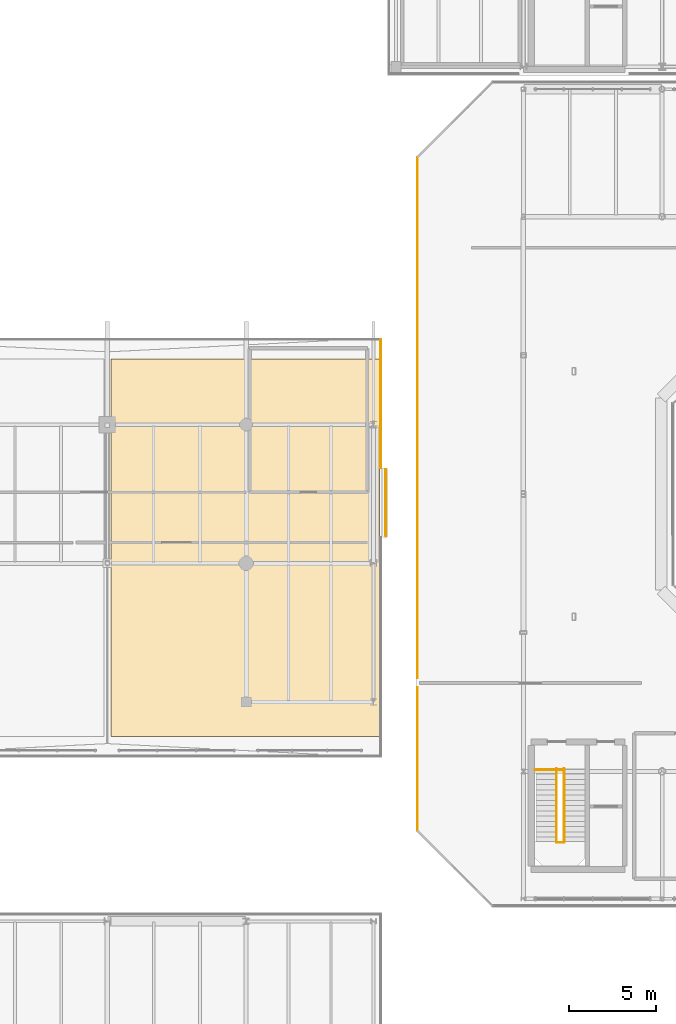
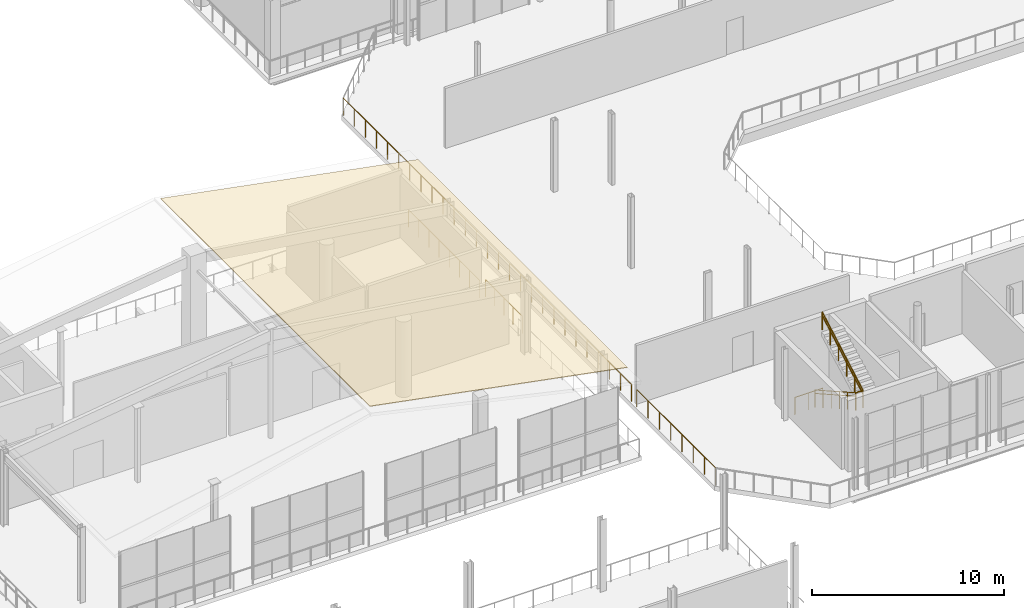
# One storey, part 61 of 70: 10 railings, 1 covering.
"""IFC4 building model written with IfcOpenShell, lengths in metres."""

from ifc_helpers import new_model, si_unit, direction, frame, origin, origin_2d, place, context, subcontext, project, spatial, polyline, circle, outline, extrude, material, layer, layer_set, type_object, element, save


model = new_model("IFC4")

# Units and contexts
model_context = context("Model", 3, precision=1e-05, world=origin(), true_north=direction((0.0, 1.0)))
body_context = subcontext(model_context, "Body", "Model", "MODEL_VIEW")
ifc_project = project(units=[si_unit("LENGTHUNIT", "METRE"), si_unit("AREAUNIT", "SQUARE_METRE"), si_unit("VOLUMEUNIT", "CUBIC_METRE"), si_unit("PLANEANGLEUNIT", "RADIAN"), si_unit("MASSUNIT", "GRAM", prefix="KILO")], contexts=[model_context])

# Site, building, storey
site_placement = place(None, origin())
site = spatial("IfcSite", under=ifc_project, at=site_placement, CompositionType="ELEMENT")
building_placement = place(site_placement, origin())
building = spatial("IfcBuilding", under=site, at=building_placement, Name="Brisemont Oceanarium", CompositionType="ELEMENT")
storey_placement = place(building_placement, frame((0.0, 0.0, 10.199951171875)))
storey = spatial("IfcBuildingStorey", under=building, at=storey_placement, Name="L02", CompositionType="ELEMENT", Elevation=10.199951171875)

# Covering
ifc_material_1 = material(Name="Patinated Copper-Zinc Standing-Seam Sheet")
ifc_layer = layer(ifc_material_1, 0.034912109375)
ifc_layer_set = layer_set([ifc_layer], Name="Patinated Copper-Zinc Standing-Seam Sheet")
covering_type = type_object("IfcCoveringType", Name="COV-ROOF-CUZN", PredefinedType="ROOFING", material=ifc_layer_set)
covering_placement = place(storey_placement, frame((40.199951171875, 42.0, 7.949951171875), z_axis=(0.186963501428, 0.0, 0.982366860767), x_axis=(0.982366860767, 0.0, -0.186963501428)))
element("IfcCovering", 1, at=covering_placement, inside=storey, type_object=covering_type, Name="Patinated copper-zinc standing-seam roofing RFG-R4", PredefinedType="ROOFING", context=body_context, shape_type="SweptSolid", body=[
    extrude(outline(polyline([(0.0, 0.0), (15.778219542028394, 0.0), (15.778219542028394, 21.800048828125), (0.0, 21.800048828125), (0.0, 0.0)])), origin(), (0.0, 0.0, -1.0), 0.034912109375),
])

# Railings
ifc_material_2 = material(Name="Duplex Stainless Steel EN 1.4462", Category="steel")
railing_type_1 = type_object("IfcRailingType", Name="RLG-GUARD-1120", PredefinedType="GUARDRAIL", material=ifc_material_2)
railing_1_placement = place(storey_placement, frame((64.669921875, 40.090087890625, 0.0)))
element("IfcRailing", 2, at=railing_1_placement, inside=storey, type_object=railing_type_1, Name="ST-01 L02 landing edge guard", PredefinedType="GUARDRAIL", context=body_context, shape_type="SweptSolid", body=[
    extrude(circle(Radius=0.02392578125, at=origin_2d()), frame((0.0, 0.0, 1.09619140625), z_axis=(1.0, 0.0, 0.0), x_axis=(0.0, 1.0, 0.0)), (0.0, 0.0, 1.0), 1.68017578125),
    extrude(circle(Radius=0.02099609375, at=origin_2d()), origin(), (0.0, 0.0, 1.0), 1.072021484375),
    extrude(circle(Radius=0.02099609375, at=origin_2d()), frame((0.840087890625, 0.0, 0.0)), (0.0, 0.0, 1.0), 1.072021484375),
    extrude(circle(Radius=0.02099609375, at=origin_2d()), frame((1.68017578125, 0.0, 0.0)), (0.0, 0.0, 1.0), 1.072021484375),
])
railing_2_placement = place(storey_placement, frame((65.909912109375, 40.14990234375, 0.0)))
element("IfcRailing", 3, at=railing_2_placement, inside=storey, type_object=railing_type_1, Name="ST-01 L02 F1 well guard", PredefinedType="GUARDRAIL", context=body_context, shape_type="SweptSolid", body=[
    extrude(circle(Radius=0.02392578125, at=origin_2d()), frame((0.0, 0.0, 1.09619140625), z_axis=(0.0, -0.870740716755, 0.491742416499), x_axis=(1.0, 0.0, 0.0)), (0.0, 0.0, 1.0), 4.880859375),
    extrude(circle(Radius=0.02099609375, at=origin_2d()), origin(), (0.0, 0.0, 1.0), 1.072021484375),
    extrude(circle(Radius=0.02099609375, at=origin_2d()), frame((0.0, -0.85009765625, 0.47998046875)), (0.0, 0.0, 1.0), 1.072021484375),
    extrude(circle(Radius=0.02099609375, at=origin_2d()), frame((0.0, -1.699951171875, 0.9599609375)), (0.0, 0.0, 1.0), 1.072021484375),
    extrude(circle(Radius=0.02099609375, at=origin_2d()), frame((0.0, -2.550048828125, 1.440185546875)), (0.0, 0.0, 1.0), 1.072021484375),
    extrude(circle(Radius=0.02099609375, at=origin_2d()), frame((0.0, -3.39990234375, 1.920166015625)), (0.0, 0.0, 1.0), 1.072021484375),
    extrude(circle(Radius=0.02099609375, at=origin_2d()), frame((0.0, -4.25, 2.400146484375)), (0.0, 0.0, 1.0), 1.072021484375),
])
railing_3_placement = place(storey_placement, frame((66.35009765625, 35.89990234375, 2.400146484375)))
element("IfcRailing", 4, at=railing_3_placement, inside=storey, type_object=railing_type_1, Name="ST-01 L02 F2 well guard", PredefinedType="GUARDRAIL", context=body_context, shape_type="SweptSolid", body=[
    extrude(circle(Radius=0.02392578125, at=origin_2d()), frame((0.0, 0.0, 1.09619140625), z_axis=(0.0, 0.870762133844, 0.491704490791), x_axis=(-1.0, 0.0, 0.0)), (0.0, 0.0, 1.0), 4.880859375),
    extrude(circle(Radius=0.02099609375, at=origin_2d()), origin(), (0.0, 0.0, 1.0), 1.072021484375),
    extrude(circle(Radius=0.02099609375, at=origin_2d()), frame((0.0, 0.85009765625, 0.47998046875)), (0.0, 0.0, 1.0), 1.072021484375),
    extrude(circle(Radius=0.02099609375, at=origin_2d()), frame((0.0, 1.699951171875, 0.9599609375)), (0.0, 0.0, 1.0), 1.072021484375),
    extrude(circle(Radius=0.02099609375, at=origin_2d()), frame((0.0, 2.550048828125, 1.43994140625)), (0.0, 0.0, 1.0), 1.072021484375),
    extrude(circle(Radius=0.02099609375, at=origin_2d()), frame((0.0, 3.39990234375, 1.919921875)), (0.0, 0.0, 1.0), 1.072021484375),
    extrude(circle(Radius=0.02099609375, at=origin_2d()), frame((0.0, 4.25, 2.39990234375)), (0.0, 0.0, 1.0), 1.072021484375),
])
railing_4_placement = place(storey_placement, frame((65.909912109375, 35.89990234375, 2.400146484375)))
element("IfcRailing", 5, at=railing_4_placement, inside=storey, type_object=railing_type_1, Name="ST-01 L02 landing slot guard", PredefinedType="GUARDRAIL", context=body_context, shape_type="SweptSolid", body=[
    extrude(circle(Radius=0.02392578125, at=origin_2d()), frame((0.0, 0.0, 1.09619140625), z_axis=(1.0, 0.0, 0.0), x_axis=(0.0, 1.0, 0.0)), (0.0, 0.0, 1.0), 0.440185546875),
    extrude(circle(Radius=0.02099609375, at=origin_2d()), origin(), (0.0, 0.0, 1.0), 1.072021484375),
    extrude(circle(Radius=0.02099609375, at=origin_2d()), frame((0.440185546875, 0.0, 0.0)), (0.0, 0.0, 1.0), 1.072021484375),
])
railing_5_placement = place(storey_placement, frame((57.889892578125, 36.58740234375, 0.0)))
element("IfcRailing", 6, at=railing_5_placement, inside=storey, type_object=railing_type_1, Name="L02 slab perimeter safety guard 135", PredefinedType="GUARDRAIL", context=body_context, shape_type="SweptSolid", body=[
    extrude(circle(Radius=0.02392578125, at=origin_2d()), frame((0.0, 0.0, 1.09619140625), z_axis=(0.0, 1.0, 0.0), x_axis=(-1.0, 0.0, 0.0)), (0.0, 0.0, 1.0), 8.233642578125),
    extrude(circle(Radius=0.02099609375, at=origin_2d()), origin(), (0.0, 0.0, 1.0), 1.072021484375),
    extrude(circle(Radius=0.02099609375, at=origin_2d()), frame((0.0, 1.17626953125, 0.0)), (0.0, 0.0, 1.0), 1.072021484375),
    extrude(circle(Radius=0.02099609375, at=origin_2d()), frame((0.0, 2.3525390625, 0.0)), (0.0, 0.0, 1.0), 1.072021484375),
    extrude(circle(Radius=0.02099609375, at=origin_2d()), frame((0.0, 3.52880859375, 0.0)), (0.0, 0.0, 1.0), 1.072021484375),
    extrude(circle(Radius=0.02099609375, at=origin_2d()), frame((0.0, 4.704833984375, 0.0)), (0.0, 0.0, 1.0), 1.072021484375),
    extrude(circle(Radius=0.02099609375, at=origin_2d()), frame((0.0, 5.881103515625, 0.0)), (0.0, 0.0, 1.0), 1.072021484375),
    extrude(circle(Radius=0.02099609375, at=origin_2d()), frame((0.0, 7.057373046875, 0.0)), (0.0, 0.0, 1.0), 1.072021484375),
    extrude(circle(Radius=0.02099609375, at=origin_2d()), frame((0.0, 8.233642578125, 0.0)), (0.0, 0.0, 1.0), 1.072021484375),
])
railing_6_placement = place(storey_placement, frame((57.889892578125, 45.37890625, 0.0)))
element("IfcRailing", 7, at=railing_6_placement, inside=storey, type_object=railing_type_1, Name="L02 slab perimeter safety guard 136", PredefinedType="GUARDRAIL", context=body_context, shape_type="SweptSolid", body=[
    extrude(circle(Radius=0.02392578125, at=origin_2d()), frame((0.0, 0.0, 1.09619140625), z_axis=(0.0, 1.0, 0.0), x_axis=(-1.0, 0.0, 0.0)), (0.0, 0.0, 1.0), 30.03369140625),
    extrude(circle(Radius=0.02099609375, at=origin_2d()), origin(), (0.0, 0.0, 1.0), 1.072021484375),
    extrude(circle(Radius=0.02099609375, at=origin_2d()), frame((0.0, 1.155029296875, 0.0)), (0.0, 0.0, 1.0), 1.072021484375),
    extrude(circle(Radius=0.02099609375, at=origin_2d()), frame((0.0, 2.310302734375, 0.0)), (0.0, 0.0, 1.0), 1.072021484375),
    extrude(circle(Radius=0.02099609375, at=origin_2d()), frame((0.0, 3.46533203125, 0.0)), (0.0, 0.0, 1.0), 1.072021484375),
    extrude(circle(Radius=0.02099609375, at=origin_2d()), frame((0.0, 4.62060546875, 0.0)), (0.0, 0.0, 1.0), 1.072021484375),
    extrude(circle(Radius=0.02099609375, at=origin_2d()), frame((0.0, 5.775634765625, 0.0)), (0.0, 0.0, 1.0), 1.072021484375),
    extrude(circle(Radius=0.02099609375, at=origin_2d()), frame((0.0, 6.930908203125, 0.0)), (0.0, 0.0, 1.0), 1.072021484375),
    extrude(circle(Radius=0.02099609375, at=origin_2d()), frame((0.0, 8.0859375, 0.0)), (0.0, 0.0, 1.0), 1.072021484375),
    extrude(circle(Radius=0.02099609375, at=origin_2d()), frame((0.0, 9.2412109375, 0.0)), (0.0, 0.0, 1.0), 1.072021484375),
    extrude(circle(Radius=0.02099609375, at=origin_2d()), frame((0.0, 10.396240234375, 0.0)), (0.0, 0.0, 1.0), 1.072021484375),
    extrude(circle(Radius=0.02099609375, at=origin_2d()), frame((0.0, 11.551513671875, 0.0)), (0.0, 0.0, 1.0), 1.072021484375),
    extrude(circle(Radius=0.02099609375, at=origin_2d()), frame((0.0, 12.70654296875, 0.0)), (0.0, 0.0, 1.0), 1.072021484375),
    extrude(circle(Radius=0.02099609375, at=origin_2d()), frame((0.0, 13.86181640625, 0.0)), (0.0, 0.0, 1.0), 1.072021484375),
    extrude(circle(Radius=0.02099609375, at=origin_2d()), frame((0.0, 15.016845703125, 0.0)), (0.0, 0.0, 1.0), 1.072021484375),
    extrude(circle(Radius=0.02099609375, at=origin_2d()), frame((0.0, 16.171875, 0.0)), (0.0, 0.0, 1.0), 1.072021484375),
    extrude(circle(Radius=0.02099609375, at=origin_2d()), frame((0.0, 17.3271484375, 0.0)), (0.0, 0.0, 1.0), 1.072021484375),
    extrude(circle(Radius=0.02099609375, at=origin_2d()), frame((0.0, 18.482177734375, 0.0)), (0.0, 0.0, 1.0), 1.072021484375),
    extrude(circle(Radius=0.02099609375, at=origin_2d()), frame((0.0, 19.637451171875, 0.0)), (0.0, 0.0, 1.0), 1.072021484375),
    extrude(circle(Radius=0.02099609375, at=origin_2d()), frame((0.0, 20.79248046875, 0.0)), (0.0, 0.0, 1.0), 1.072021484375),
    extrude(circle(Radius=0.02099609375, at=origin_2d()), frame((0.0, 21.94775390625, 0.0)), (0.0, 0.0, 1.0), 1.072021484375),
    extrude(circle(Radius=0.02099609375, at=origin_2d()), frame((0.0, 23.102783203125, 0.0)), (0.0, 0.0, 1.0), 1.072021484375),
    extrude(circle(Radius=0.02099609375, at=origin_2d()), frame((0.0, 24.258056640625, 0.0)), (0.0, 0.0, 1.0), 1.072021484375),
    extrude(circle(Radius=0.02099609375, at=origin_2d()), frame((0.0, 25.4130859375, 0.0)), (0.0, 0.0, 1.0), 1.072021484375),
    extrude(circle(Radius=0.02099609375, at=origin_2d()), frame((0.0, 26.568359375, 0.0)), (0.0, 0.0, 1.0), 1.072021484375),
    extrude(circle(Radius=0.02099609375, at=origin_2d()), frame((0.0, 27.723388671875, 0.0)), (0.0, 0.0, 1.0), 1.072021484375),
    extrude(circle(Radius=0.02099609375, at=origin_2d()), frame((0.0, 28.878662109375, 0.0)), (0.0, 0.0, 1.0), 1.072021484375),
    extrude(circle(Radius=0.02099609375, at=origin_2d()), frame((0.0, 30.03369140625, 0.0)), (0.0, 0.0, 1.0), 1.072021484375),
])
railing_7_placement = place(storey_placement, frame((55.759521484375, 64.909912109375, 0.0)))
element("IfcRailing", 8, at=railing_7_placement, inside=storey, type_object=railing_type_1, Name="L02 slab perimeter safety guard 163", PredefinedType="GUARDRAIL", context=body_context, shape_type="SweptSolid", body=[
    extrude(circle(Radius=0.02392578125, at=origin_2d()), frame((0.0, 0.0, 1.09619140625), z_axis=(6.5930443e-05, -0.999999997827, 0.0), x_axis=(0.999999997827, 6.5930443e-05, 0.0)), (0.0, 0.0, 1.0), 7.406005859375),
    extrude(circle(Radius=0.02099609375, at=origin_2d()), origin(), (0.0, 0.0, 1.0), 1.072021484375),
    extrude(circle(Radius=0.02099609375, at=origin_2d()), frame((0.0, -1.05810546875, 0.0)), (0.0, 0.0, 1.0), 1.072021484375),
    extrude(circle(Radius=0.02099609375, at=origin_2d()), frame((0.000244140625, -2.115966796875, 0.0)), (0.0, 0.0, 1.0), 1.072021484375),
    extrude(circle(Radius=0.02099609375, at=origin_2d()), frame((0.000244140625, -3.174072265625, 0.0)), (0.0, 0.0, 1.0), 1.072021484375),
    extrude(circle(Radius=0.02099609375, at=origin_2d()), frame((0.000244140625, -4.23193359375, 0.0)), (0.0, 0.0, 1.0), 1.072021484375),
    extrude(circle(Radius=0.02099609375, at=origin_2d()), frame((0.000244140625, -5.2900390625, 0.0)), (0.0, 0.0, 1.0), 1.072021484375),
    extrude(circle(Radius=0.02099609375, at=origin_2d()), frame((0.00048828125, -6.347900390625, 0.0)), (0.0, 0.0, 1.0), 1.072021484375),
    extrude(circle(Radius=0.02099609375, at=origin_2d()), frame((0.00048828125, -7.406005859375, 0.0)), (0.0, 0.0, 1.0), 1.072021484375),
])
railing_8_placement = place(storey_placement, frame((56.06005859375, 57.409912109375, 0.0)))
element("IfcRailing", 9, at=railing_8_placement, inside=storey, type_object=railing_type_1, Name="L02 slab perimeter safety guard 164", PredefinedType="GUARDRAIL", context=body_context, shape_type="SweptSolid", body=[
    extrude(circle(Radius=0.02392578125, at=origin_2d()), frame((0.0, 0.0, 1.09619140625), z_axis=(0.0, -1.0, 0.0), x_axis=(1.0, 0.0, 0.0)), (0.0, 0.0, 1.0), 3.81982421875),
    extrude(circle(Radius=0.02099609375, at=origin_2d()), origin(), (0.0, 0.0, 1.0), 1.072021484375),
    extrude(circle(Radius=0.02099609375, at=origin_2d()), frame((0.0, -0.955078125, 0.0)), (0.0, 0.0, 1.0), 1.072021484375),
    extrude(circle(Radius=0.02099609375, at=origin_2d()), frame((0.0, -1.909912109375, 0.0)), (0.0, 0.0, 1.0), 1.072021484375),
    extrude(circle(Radius=0.02099609375, at=origin_2d()), frame((0.0, -2.86474609375, 0.0)), (0.0, 0.0, 1.0), 1.072021484375),
    extrude(circle(Radius=0.02099609375, at=origin_2d()), frame((0.0, -3.81982421875, 0.0)), (0.0, 0.0, 1.0), 1.072021484375),
])
ifc_material_3 = material(Name="Duplex Stainless Steel EN 1.4462", Category="steel")
railing_type_2 = type_object("IfcRailingType", Name="RLG-HAND-900", PredefinedType="HANDRAIL", material=ifc_material_3)
railing_9_placement = place(storey_placement, frame((65.909912109375, 40.14990234375, 0.0)))
element("IfcRailing", 10, at=railing_9_placement, inside=storey, type_object=railing_type_2, Name="ST-01 L02 F1 handrail", PredefinedType="HANDRAIL", context=body_context, shape_type="SweptSolid", body=[
    extrude(circle(Radius=0.02392578125, at=origin_2d()), frame((0.0, 0.0, 0.8759765625), z_axis=(0.0, -0.870740716755, 0.491742416499), x_axis=(1.0, 0.0, 0.0)), (0.0, 0.0, 1.0), 4.880859375),
    extrude(circle(Radius=0.02099609375, at=origin_2d()), origin(), (0.0, 0.0, 1.0), 0.851806640625),
    extrude(circle(Radius=0.02099609375, at=origin_2d()), frame((0.0, -0.85009765625, 0.47998046875)), (0.0, 0.0, 1.0), 0.851806640625),
    extrude(circle(Radius=0.02099609375, at=origin_2d()), frame((0.0, -1.699951171875, 0.9599609375)), (0.0, 0.0, 1.0), 0.851806640625),
    extrude(circle(Radius=0.02099609375, at=origin_2d()), frame((0.0, -2.550048828125, 1.440185546875)), (0.0, 0.0, 1.0), 0.851806640625),
    extrude(circle(Radius=0.02099609375, at=origin_2d()), frame((0.0, -3.39990234375, 1.920166015625)), (0.0, 0.0, 1.0), 0.851806640625),
    extrude(circle(Radius=0.02099609375, at=origin_2d()), frame((0.0, -4.25, 2.400146484375)), (0.0, 0.0, 1.0), 0.851806640625),
])
railing_10_placement = place(storey_placement, frame((66.35009765625, 35.89990234375, 2.400146484375)))
element("IfcRailing", 11, at=railing_10_placement, inside=storey, type_object=railing_type_2, Name="ST-01 L02 F2 handrail", PredefinedType="HANDRAIL", context=body_context, shape_type="SweptSolid", body=[
    extrude(circle(Radius=0.02392578125, at=origin_2d()), frame((0.0, 0.0, 0.8759765625), z_axis=(0.0, 0.870762133844, 0.491704490791), x_axis=(-1.0, 0.0, 0.0)), (0.0, 0.0, 1.0), 4.880859375),
    extrude(circle(Radius=0.02099609375, at=origin_2d()), origin(), (0.0, 0.0, 1.0), 0.851806640625),
    extrude(circle(Radius=0.02099609375, at=origin_2d()), frame((0.0, 0.85009765625, 0.47998046875)), (0.0, 0.0, 1.0), 0.851806640625),
    extrude(circle(Radius=0.02099609375, at=origin_2d()), frame((0.0, 1.699951171875, 0.9599609375)), (0.0, 0.0, 1.0), 0.851806640625),
    extrude(circle(Radius=0.02099609375, at=origin_2d()), frame((0.0, 2.550048828125, 1.43994140625)), (0.0, 0.0, 1.0), 0.851806640625),
    extrude(circle(Radius=0.02099609375, at=origin_2d()), frame((0.0, 3.39990234375, 1.919921875)), (0.0, 0.0, 1.0), 0.851806640625),
    extrude(circle(Radius=0.02099609375, at=origin_2d()), frame((0.0, 4.25, 2.39990234375)), (0.0, 0.0, 1.0), 0.851806640625),
])

save(model, "model.ifc")
